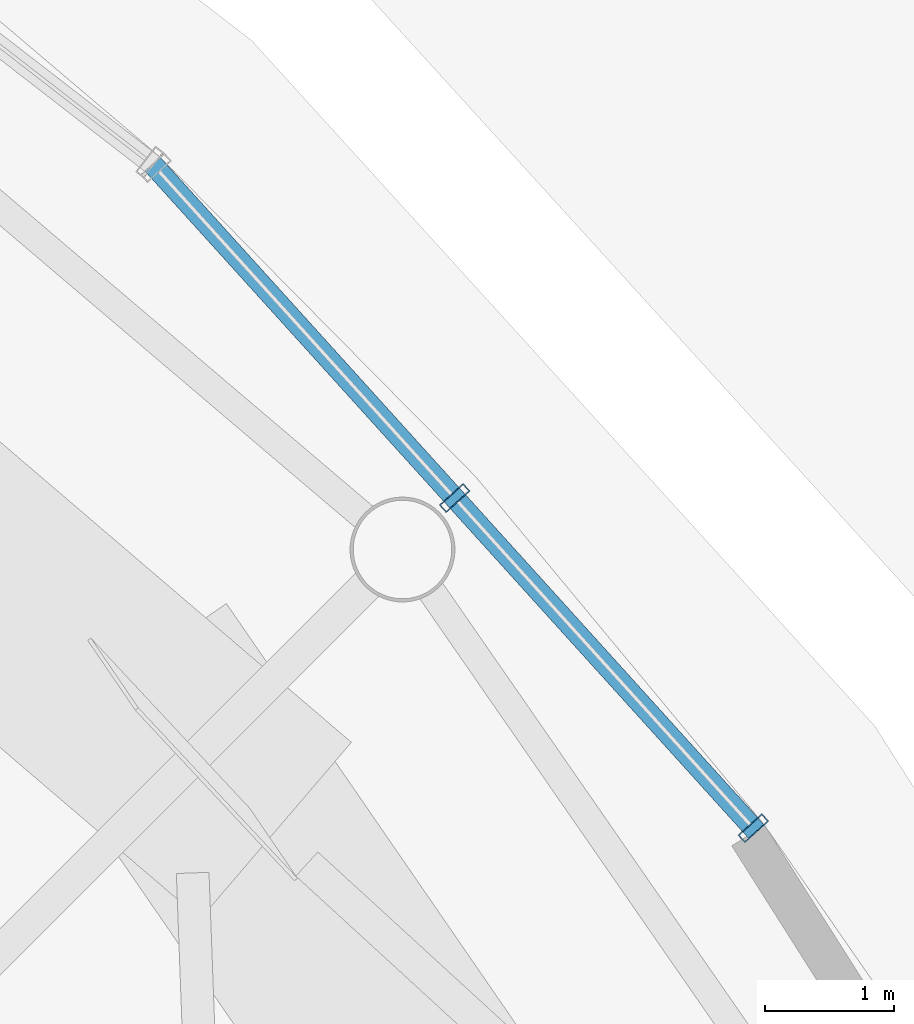
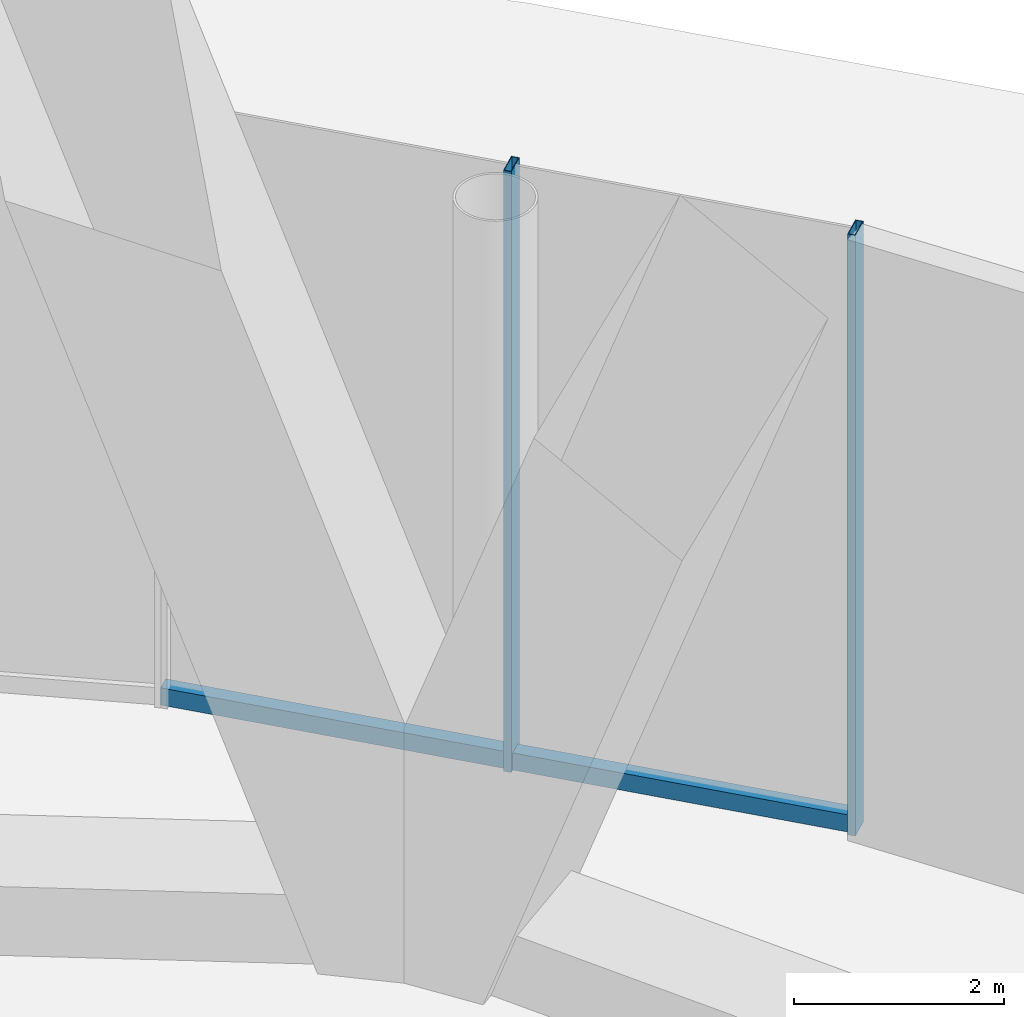
# One storey, part 55 of 67: 3 members, 1 element without a shape of its own.
"""IFC4 building model written with IfcOpenShell, lengths in metres."""

import ifcopenshell
import ifcopenshell.guid

model = None  # the IFC model being written
_history = None  # IfcOwnerHistory: only IFC2X3 demands one
_inside = {}  # id of a spatial element -> (the spatial element, [elements in it])
_under = {}  # id of a project, library or spatial element -> (it, [spatial elements below it])
_declared = {}  # id of a project -> (the project, [libraries it declares])
_typed = {}  # id of a type object -> (the type object, [elements of that type])
_made_of = {}  # id of a material, layer set ... -> (it, [elements and type objects made of it])


def new_model(schema):
    """Start an empty IFC model of exactly this schema.

    Asked for "IFC4X3", IfcOpenShell would pick the latest addendum, in which some entities
    have other attributes; the version numbers below select the first issue.
    IFC2X3 requires an IfcOwnerHistory on every rooted entity: one is made here for all.
    """
    global model, _history
    if schema == "IFC4X3":
        model = ifcopenshell.file(schema_version=(4, 3, 0, 0))
    else:
        model = ifcopenshell.file(schema=schema)
    _inside.clear()
    _under.clear()
    _declared.clear()
    _typed.clear()
    _made_of.clear()
    _history = None
    if model.schema == "IFC2X3":
        org = make("IfcOrganization", Name="unknown")
        user = make(
            "IfcPersonAndOrganization",
            ThePerson=make("IfcPerson", FamilyName="unknown"),
            TheOrganization=org,
        )
        app = make(
            "IfcApplication",
            ApplicationDeveloper=org,
            Version="unknown",
            ApplicationFullName="unknown",
            ApplicationIdentifier="unknown",
        )
        _history = make(
            "IfcOwnerHistory",
            OwningUser=user,
            OwningApplication=app,
            ChangeAction="ADDED",
            CreationDate=0,
        )
    return model


def make(cls, **values):
    """One entity of the class cls with the attributes given. An attribute that is None is left unset."""
    return model.create_entity(
        cls, **{name: value for name, value in values.items() if value is not None}
    )


def rooted(cls, **values):
    """An entity with a GlobalId (a new one), such as an element, a storey or a relation."""
    return make(cls, GlobalId=ifcopenshell.guid.new(), OwnerHistory=_history, **values)


def si_unit(unit_type, name, prefix=None):
    """IfcSIUnit, for example si_unit("LENGTHUNIT", "METRE", prefix="MILLI")."""
    return make("IfcSIUnit", UnitType=unit_type, Prefix=prefix, Name=name)


def assignment(units):
    """IfcUnitAssignment: the units of a project."""
    return None if units is None else make("IfcUnitAssignment", Units=units)


def point(xyz):
    """IfcCartesianPoint."""
    return None if xyz is None else make("IfcCartesianPoint", Coordinates=xyz)


def direction(xyz):
    """IfcDirection."""
    return None if xyz is None else make("IfcDirection", DirectionRatios=xyz)


def frame(location, z_axis=None, x_axis=None):
    """IfcAxis2Placement3D, a coordinate frame: its origin and axes. An axis left out is left unset."""
    return make(
        "IfcAxis2Placement3D",
        Location=point(location),
        Axis=direction(z_axis),
        RefDirection=direction(x_axis),
    )


def frame_2d(location, x_axis=None):
    """IfcAxis2Placement2D, a coordinate frame in the plane: its origin and x axis."""
    return make(
        "IfcAxis2Placement2D", Location=point(location), RefDirection=direction(x_axis)
    )


def origin():
    """The frame at (0, 0, 0) with its axes left unset."""
    return frame((0.0, 0.0, 0.0))


def origin_2d():
    """The frame at (0, 0) in the plane with its x axis left unset."""
    return frame_2d((0.0, 0.0))


def place(relative_to, where):
    """IfcLocalPlacement: puts the frame where relative to a parent placement (None: the world)."""
    return make(
        "IfcLocalPlacement", PlacementRelTo=relative_to, RelativePlacement=where
    )


def context(
    kind, dimensions, precision=None, world=None, true_north=None, identifier=None
):
    """IfcGeometricRepresentationContext, for example the 3D "Model" context."""
    return make(
        "IfcGeometricRepresentationContext",
        ContextIdentifier=identifier,
        ContextType=kind,
        CoordinateSpaceDimension=dimensions,
        Precision=precision,
        WorldCoordinateSystem=world,
        TrueNorth=true_north,
    )


def subcontext(parent, identifier, kind, view, scale=None):
    """IfcGeometricRepresentationSubContext, for example "Body" below "Model"."""
    return make(
        "IfcGeometricRepresentationSubContext",
        ContextIdentifier=identifier,
        ContextType=kind,
        ParentContext=parent,
        TargetScale=scale,
        TargetView=view,
    )


def project(units=None, contexts=None):
    """IfcProject with its units and contexts."""
    return rooted(
        "IfcProject",
        Name="project",
        RepresentationContexts=contexts,
        UnitsInContext=assignment(units),
    )


def spatial(cls, under=None, at=None, **own):
    """A site, building, storey or space (cls), placed at a placement, below another one or the project."""
    s = rooted(cls, ObjectPlacement=at, **own)
    if under is not None:
        _under.setdefault(under.id(), (under, []))[1].append(s)
    return s


def profile(cls, at=None, kind="AREA", **sizes):
    """A parametric profile (cls). Its sizes go by their IFC names, for example OverallWidth=200.0."""
    return make(cls, ProfileType=kind, Position=at, **sizes)


def hollow_rectangle(**sizes):
    """IfcRectangleHollowProfileDef."""
    return profile("IfcRectangleHollowProfileDef", **sizes)


def extrude(swept, where, along, depth):
    """IfcExtrudedAreaSolid: the profile swept, set in the frame where, extruded along a direction by depth."""
    return make(
        "IfcExtrudedAreaSolid",
        SweptArea=swept,
        Position=where,
        ExtrudedDirection=direction(along),
        Depth=depth,
    )


def shape(context_of_items, identifier, shape_type, items):
    """IfcShapeRepresentation: the items that make up one representation, for example the "Body"."""
    return make(
        "IfcShapeRepresentation",
        ContextOfItems=context_of_items,
        RepresentationIdentifier=identifier,
        RepresentationType=shape_type,
        Items=items,
    )


def material(Name=None, Category=None):
    """IfcMaterial."""
    return make("IfcMaterial", Name=Name, Category=Category)


def layer(
    of_material, thickness, ventilated=None, Name=None, Category=None, Priority=None
):
    """IfcMaterialLayer: one layer of a wall or slab, of a material (None: an air gap)."""
    return make(
        "IfcMaterialLayer",
        Material=of_material,
        LayerThickness=thickness,
        IsVentilated=ventilated,
        Name=Name,
        Category=Category,
        Priority=Priority,
    )


def layer_set(layers, Name=None):
    """IfcMaterialLayerSet."""
    return make("IfcMaterialLayerSet", MaterialLayers=layers, LayerSetName=Name)


def material_profile(
    of_material, cross_section, Name=None, Category=None, Priority=None
):
    """IfcMaterialProfile: a cross section and its material."""
    return make(
        "IfcMaterialProfile",
        Name=Name,
        Material=of_material,
        Profile=cross_section,
        Priority=Priority,
        Category=Category,
    )


def profile_set(profiles, Name=None, composite=None):
    """IfcMaterialProfileSet."""
    return make(
        "IfcMaterialProfileSet",
        Name=Name,
        MaterialProfiles=profiles,
        CompositeProfile=composite,
    )


def made_of(thing, what):
    """Note that an element or type object is made of a material, layer set ...; save() writes the relation."""
    if what is not None:
        _made_of.setdefault(what.id(), (what, []))[1].append(thing)
    return thing


def type_object(cls, material=None, **own):
    """A type object (cls), such as IfcWallType, which elements share."""
    return made_of(rooted(cls, **own), material)


def element(
    cls,
    number,
    at=None,
    inside=None,
    cuts=None,
    type_object=None,
    material=None,
    context=None,
    identifier="Body",
    shape_type=None,
    held_by="IfcProductDefinitionShape",
    body=None,
    shapes=None,
    **own,
):
    """One element of the class cls, such as IfcWall. Its Tag is "e" and its number.

    at: its placement. inside: the storey or other place that contains it. cuts: it is an
    opening in that element (IfcRelVoidsElement). A single representation is given by context,
    identifier, shape_type and body (its items); several are given by shapes. held_by: the class
    of the entity that holds the representations. save() writes the other relations.
    """
    e = rooted(cls, Tag="e%d" % number, ObjectPlacement=at, **own)
    if body is not None:
        shapes = [shape(context, identifier, shape_type, body)]
    if shapes is not None:
        e.Representation = make(held_by, Representations=shapes)
    if inside is not None:
        _inside.setdefault(inside.id(), (inside, []))[1].append(e)
    if cuts is not None:
        rooted(
            "IfcRelVoidsElement", RelatingBuildingElement=cuts, RelatedOpeningElement=e
        )
    if type_object is not None:
        _typed.setdefault(type_object.id(), (type_object, []))[1].append(e)
    return made_of(e, material)


def aggregate(whole, parts):
    """IfcRelAggregates: a whole, such as a stair, and the parts it consists of."""
    return rooted("IfcRelAggregates", RelatingObject=whole, RelatedObjects=parts)


def save(model, path):
    """Write the relations noted so far, then the file.

    IfcRelAggregates (storeys below a building ...), IfcRelContainedInSpatialStructure (elements
    in a storey), IfcRelDefinesByType, IfcRelAssociatesMaterial and IfcRelDeclares: one each for
    every whole, place, type object, material and project.
    """
    for whole, parts in _under.values():
        aggregate(whole, parts)
    for where, things in _inside.values():
        rooted(
            "IfcRelContainedInSpatialStructure",
            RelatedElements=things,
            RelatingStructure=where,
        )
    for kind, things in _typed.values():
        rooted("IfcRelDefinesByType", RelatedObjects=things, RelatingType=kind)
    for what, things in _made_of.values():
        rooted("IfcRelAssociatesMaterial", RelatedObjects=things, RelatingMaterial=what)
    for by, libraries in _declared.values():
        rooted("IfcRelDeclares", RelatingContext=by, RelatedDefinitions=libraries)
    model.write(path)


model = new_model("IFC4")

# Units and contexts
model_context = context("Model", 3, precision=1e-05, world=origin(), true_north=direction((0.0, 1.0)))
body_context = subcontext(model_context, "Body", "Model", "MODEL_VIEW")
ifc_project = project(units=[si_unit("LENGTHUNIT", "METRE"), si_unit("AREAUNIT", "SQUARE_METRE"), si_unit("VOLUMEUNIT", "CUBIC_METRE"), si_unit("PLANEANGLEUNIT", "RADIAN"), si_unit("MASSUNIT", "GRAM", prefix="KILO")], contexts=[model_context])

# Site, building, storey
site_placement = place(None, origin())
site = spatial("IfcSite", under=ifc_project, at=site_placement, CompositionType="ELEMENT")
building_placement = place(site_placement, origin())
building = spatial("IfcBuilding", under=site, at=building_placement, Name="Nagisa Residences", CompositionType="ELEMENT")
storey_placement = place(building_placement, origin())
storey = spatial("IfcBuildingStorey", under=building, at=storey_placement, Name="L00", CompositionType="ELEMENT", Elevation=0.0)

# Curtain wall, members
ifc_material_1 = material(Name="Stainless steel curtain wall system", Category="steel")
ifc_layer = layer(ifc_material_1, 0.159912109375)
ifc_layer_set = layer_set([ifc_layer], Name="CW3 CURTAIN WALL")
curtain_wall_type = type_object("IfcCurtainWallType", Name="CW3 CURTAIN WALL", PredefinedType="NOTDEFINED", material=ifc_layer_set)
curtain_wall_placement = place(storey_placement, origin())
curtain_wall = element("IfcCurtainWall", 1, at=curtain_wall_placement, inside=storey, type_object=curtain_wall_type, Name="cw:CW3:L00:04", PredefinedType="NOTDEFINED")
ifc_material_2 = material(Name="Stainless steel", Category="steel")
ifc_material_profile_1 = material_profile(ifc_material_2, hollow_rectangle(XDim=0.25, YDim=0.080078125, WallThickness=0.008056640625, at=origin_2d()), Name="CW3 MULLION 250x80")
ifc_profile_set_1 = profile_set([ifc_material_profile_1], Name="Stainless steel")
member_type_1 = type_object("IfcMemberType", Name="CW3 MULLION 250x80", PredefinedType="MULLION", material=ifc_profile_set_1)
member_1_placement = place(storey_placement, frame((32.62353515625, 26.97314453125, 0.0), z_axis=(0.0, 0.0, 1.0), x_axis=(-0.741535779122, -0.670913323971, 0.0)))
member_1 = element("IfcMember", 2, at=member_1_placement, type_object=member_type_1, Name="CW3 mullion", PredefinedType="MULLION", context=body_context, shape_type="SweptSolid", body=[
    extrude(hollow_rectangle(XDim=0.25, YDim=0.080078125, WallThickness=0.008056640625, at=origin_2d()), origin(), (0.0, 0.0, 1.0), 7.0),
])
member_2_placement = place(storey_placement, frame((30.30859375, 29.53173828125, 0.0), z_axis=(0.0, 0.0, 1.0), x_axis=(-0.741535779122, -0.670913323971, 0.0)))
member_2 = element("IfcMember", 3, at=member_2_placement, type_object=member_type_1, Name="CW3 mullion", PredefinedType="MULLION", context=body_context, shape_type="SweptSolid", body=[
    extrude(hollow_rectangle(XDim=0.25, YDim=0.080078125, WallThickness=0.008056640625, at=origin_2d()), origin(), (0.0, 0.0, 1.0), 7.0),
])
ifc_material_3 = material(Name="Stainless steel", Category="steel")
ifc_material_profile_2 = material_profile(ifc_material_3, hollow_rectangle(XDim=0.159912109375, YDim=0.199951171875, WallThickness=0.008056640625, at=origin_2d()), Name="CW3 TRANSOM 160x200")
ifc_profile_set_2 = profile_set([ifc_material_profile_2], Name="Stainless steel")
member_type_2 = type_object("IfcMemberType", Name="CW3 TRANSOM 160x200", PredefinedType="USERDEFINED", material=ifc_profile_set_2)
member_3_placement = place(storey_placement, frame((32.650390625, 26.943359375, 0.10009765625), z_axis=(-0.670921565259, 0.741528322635, 0.0), x_axis=(-0.741528322635, -0.670921565259, 0.0)))
member_3 = element("IfcMember", 4, at=member_3_placement, type_object=member_type_2, Name="CW3 transom", ObjectType="TRANSOM", PredefinedType="USERDEFINED", context=body_context, shape_type="SweptSolid", body=[
    extrude(hollow_rectangle(XDim=0.159912109375, YDim=0.199951171875, WallThickness=0.008056640625, at=origin_2d()), origin(), (0.0, 0.0, 1.0), 6.981201171875),
])
aggregate(curtain_wall, [member_1, member_2, member_3])

save(model, "model.ifc")
